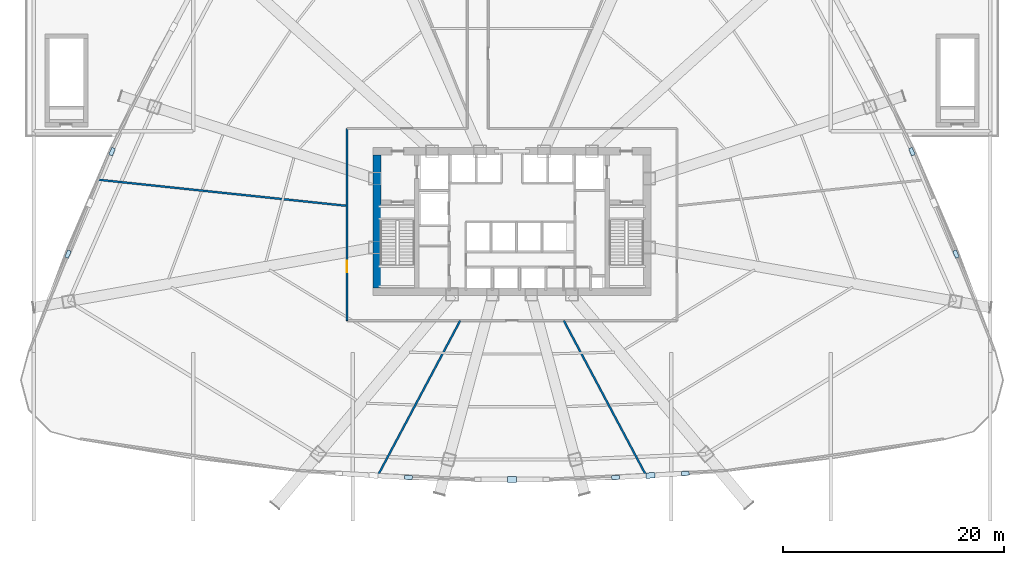
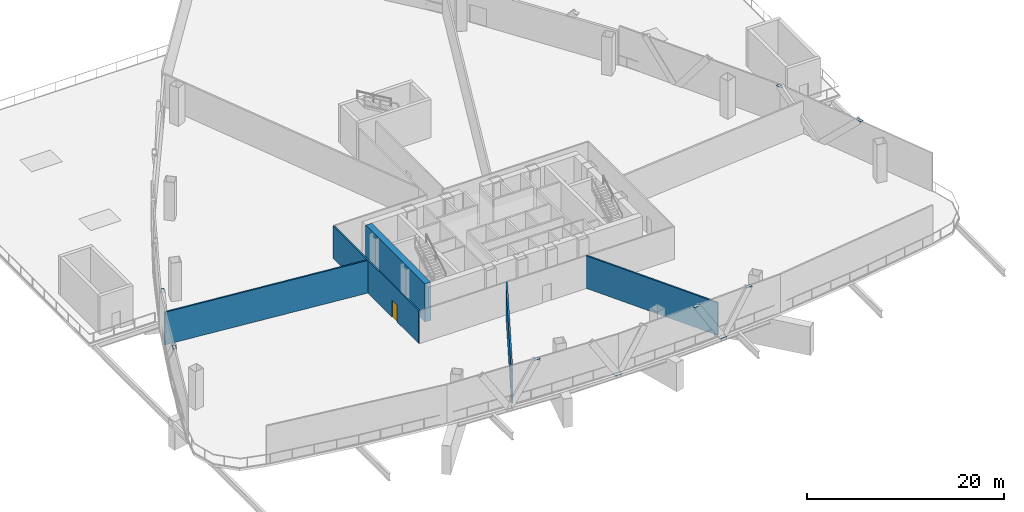
# One storey, part 9 of 18: 9 plates, 5 walls, 1 door, 1 opening.
"""IFC4 building model written with IfcOpenShell, lengths in metres."""

from ifc_helpers import new_model, si_unit, direction, frame, frame_2d, origin, origin_with_axes, origin_2d, place, context, subcontext, project, spatial, rectangle, extrude, source, transform, mapped, material, layer, layer_set, type_object, element, fill, save


model = new_model("IFC4")

# Units and contexts
model_context = context("Model", 3, precision=1e-05, world=origin(), true_north=direction((0.0, 1.0)))
body_context = subcontext(model_context, "Body", "Model", "MODEL_VIEW")
ifc_project = project(units=[si_unit("LENGTHUNIT", "METRE"), si_unit("AREAUNIT", "SQUARE_METRE"), si_unit("VOLUMEUNIT", "CUBIC_METRE"), si_unit("PLANEANGLEUNIT", "RADIAN"), si_unit("MASSUNIT", "GRAM", prefix="KILO"), si_unit("THERMODYNAMICTEMPERATUREUNIT", "KELVIN"), si_unit("POWERUNIT", "WATT")], contexts=[model_context])

# Site, building, storey
site_placement = place(None, origin())
site = spatial("IfcSite", under=ifc_project, at=site_placement, CompositionType="ELEMENT")
building_placement = place(site_placement, origin())
building = spatial("IfcBuilding", under=site, at=building_placement, Name="Yunzhuo Pagoda Commons", CompositionType="ELEMENT")
storey_placement = place(building_placement, frame((0.0, 0.0, 25.39990234375)))
storey = spatial("IfcBuildingStorey", under=building, at=storey_placement, Name="L06", CompositionType="ELEMENT", Elevation=25.39990234375)

# Plates
ifc_material_1 = material(Name="Structural steel Q355B", Category="steel")
ifc_layer_1 = layer(ifc_material_1, 0.028076171875)
ifc_layer_set_1 = layer_set([ifc_layer_1], Name="Structural steel Q355B")
plate_type = type_object("IfcPlateType", Name="SP-ND1 Lattice Node Cap Plate 800x500x28", PredefinedType="USERDEFINED", material=ifc_layer_set_1)
shared_shape_1 = source(origin(), body_context, "Body", "SweptSolid", [
    extrude(rectangle(XDim=0.800048828125, YDim=0.5, at=origin_2d()), origin(), (0.0, 0.0, 1.0), 0.028076171875),
])
for number, where, z_axis, x_axis, name in (
    (1, (48.0, 10.548095703125, -0.2939453125), (0.0, 0.0, 1.0), (1.0, 0.0, 0.0), "L06 diamond node plate F1.2A"),
    (2, (60.50830078125, 10.913818359375, -0.2939453125), (0.0, 0.0, 1.0), (0.998322672768, 0.057895086472, 0.0), "L06 diamond node plate F1.3A"),
):
    element("IfcPlate", number, at=place(storey_placement, frame(where, z_axis=z_axis, x_axis=x_axis)), inside=storey, type_object=plate_type, Name=name, ObjectType="STIFFENER_PLATE", PredefinedType="USERDEFINED", context=body_context, shape_type="MappedRepresentation", body=[
        mapped(shared_shape_1, transform((0.0, 0.0, 0.0), scale=1.0)),
    ])
shared_shape_2 = source(origin(), body_context, "Body", "SweptSolid", [
    extrude(rectangle(XDim=0.699951171875, YDim=0.35009765625, at=origin_2d()), origin(), (0.0, 0.0, 1.0), 0.035888671875),
])
for number, where, z_axis, x_axis, name in (
    (3, (38.64404296875, 10.73095703125, 4.7021484375), (0.0, 0.0, 1.0), (0.998322672768, -0.057895086472, 0.0), "L06 setback lattice tie plate F1.1R"),
    (4, (57.35595703125, 10.73095703125, 4.7021484375), (0.0, 0.0, 1.0), (0.998322672768, 0.057895086472, 0.0), "L06 setback lattice tie plate F1.3L"),
    (5, (63.66064453125, 11.0966796875, 4.7021484375), (0.0, 0.0, 1.0), (0.998322672768, 0.057895086472, 0.0), "L06 setback lattice tie plate F1.3R"),
    (6, (88.10888671875, 30.906005859375, 4.7021484375), (0.0, 0.0, 1.0), (-0.39485610496, 0.918742976232, 0.0), "L06 setback lattice tie plate F2.1L"),
    (7, (84.130126953125, 40.1640625, 4.7021484375), (0.0, 0.0, 1.0), (-0.39485610496, 0.918742976232, 0.0), "L06 setback lattice tie plate F2.1R"),
    (8, (11.869873046875, 40.1640625, 4.7021484375), (0.0, 0.0, 1.0), (-0.39485610496, -0.918742976232, 0.0), "L06 setback lattice tie plate F3.3L"),
    (9, (7.89111328125, 30.906005859375, 4.7021484375), (0.0, 0.0, 1.0), (-0.39485610496, -0.918742976232, 0.0), "L06 setback lattice tie plate F3.3R"),
):
    element("IfcPlate", number, at=place(storey_placement, frame(where, z_axis=z_axis, x_axis=x_axis)), inside=storey, type_object=plate_type, Name=name, ObjectType="STIFFENER_PLATE", PredefinedType="USERDEFINED", context=body_context, shape_type="MappedRepresentation", body=[
        mapped(shared_shape_2, transform((0.0, 0.0, 0.0), scale=1.0)),
    ])

# Wall
ifc_material_2 = material(Name="Concrete C60", Category="concrete")
ifc_layer_2 = layer(ifc_material_2, 0.699951171875)
ifc_layer_set_2 = layer_set([ifc_layer_2], Name="Concrete C60")
wall_type_1 = type_object("IfcWallType", Name="W-C01 Lower Core Shear Wall 700", PredefinedType="SHEAR", material=ifc_layer_set_2)
wall_1_placement = place(storey_placement, frame((35.800048828125, 27.85009765625, 0.0), z_axis=(0.0, 0.0, 1.0), x_axis=(0.0, 1.0, 0.0)))
element("IfcWall", 10, at=wall_1_placement, inside=storey, type_object=wall_type_1, Name="L06 core shear wall W", PredefinedType="SHEAR", context=body_context, shape_type="SweptSolid", body=[
    extrude(rectangle(XDim=12.0, YDim=0.699951171875, at=frame_2d((6.0, 0.0))), origin(), (0.0, 0.0, 1.0), 4.739990234375),
])

# Wall, opening, door
ifc_material_3 = material(Name="Gypsum plasterboard on acoustic stud")
ifc_layer_3 = layer(ifc_material_3, 0.159912109375)
ifc_layer_set_3 = layer_set([ifc_layer_3], Name="Gypsum plasterboard on acoustic stud")
wall_type_2 = type_object("IfcWallType", Name="W-COR1 Tower Rated Corridor Wall 160", PredefinedType="PARTITIONING", material=ifc_layer_set_3)
wall_2_placement = place(storey_placement, frame((33.10009765625, 24.89990234375, 0.0), z_axis=(0.0, 0.0, 1.0), x_axis=(0.0, 1.0, 0.0)))
wall_2 = element("IfcWall", 11, at=wall_2_placement, inside=storey, type_object=wall_type_2, Name="L06 interior wall IW-L06-SCW05", PredefinedType="PARTITIONING", context=body_context, shape_type="SweptSolid", body=[
    extrude(rectangle(XDim=17.35009765625, YDim=0.159912109375, at=frame_2d((8.675048828125, 0.0))), origin(), (0.0, 0.0, 1.0), 4.0400390625),
])
opening_placement = place(wall_2_placement, frame((4.358154296875, 0.0, 0.0)))
opening = element("IfcOpeningElement", 12, at=opening_placement, cuts=wall_2, Name="Opening D-02", PredefinedType="OPENING", context=body_context, shape_type="SweptSolid", body=[
    extrude(rectangle(XDim=1.050048828125, YDim=2.10009765625, at=frame_2d((0.52490234375, 1.050048828125))), frame((0.0, 0.08984375, 0.0), z_axis=(0.0, -1.0, 0.0), x_axis=(1.0, 0.0, 0.0)), (0.0, 0.0, 1.0), 0.179931640625),
])
ifc_material_4 = material(Name="Galvanized fire-resisting metal leaf")
door_type = type_object("IfcDoorType", Name="D-02 Firefighting Lobby & Refuge Fire Door 1050x2100", OperationType="NOTDEFINED", PredefinedType="DOOR", material=ifc_material_4)
shared_shape_3 = source(origin(), body_context, "Body", "SweptSolid", [
    extrude(rectangle(XDim=1.050048828125, YDim=2.10009765625, at=frame_2d((0.52490234375, 1.050048828125))), frame((0.0, 0.02490234375, 0.0), z_axis=(0.0, -1.0, 0.0), x_axis=(1.0, 0.0, 0.0)), (0.0, 0.0, 1.0), 0.050048828125),
])
door_placement = place(opening_placement, origin_with_axes())
door = element("IfcDoor", 13, at=door_placement, inside=storey, type_object=door_type, Name="L06 South Refuge Area door", OperationType="SINGLE_SWING_RIGHT", OverallHeight=2.10009765625, OverallWidth=1.050048828125, PredefinedType="DOOR", context=body_context, shape_type="MappedRepresentation", body=[
    mapped(shared_shape_3, transform((0.0, 0.0, 0.0), scale=1.0)),
])
fill(opening, door)

# Walls
ifc_layer_4 = layer(ifc_material_3, 0.179931640625)
ifc_layer_set_4 = layer_set([ifc_layer_4], Name="Gypsum plasterboard on acoustic stud")
wall_type_3 = type_object("IfcWallType", Name="W-PRT2 Acoustic Unit Demising Wall 180", PredefinedType="PARTITIONING", material=ifc_layer_set_4)
wall_3_placement = place(storey_placement, frame((33.10009765625, 35.26611328125, 0.0), z_axis=(0.0, 0.0, 1.0), x_axis=(-0.994522243654, 0.104525149493, 0.0)))
element("IfcWall", 14, at=wall_3_placement, inside=storey, type_object=wall_type_3, Name="L06 interior wall IW-L06-SRAD4", PredefinedType="PARTITIONING", context=body_context, shape_type="SweptSolid", body=[
    extrude(rectangle(XDim=22.609619140625, YDim=0.179931640625, at=frame_2d((11.3046875, 0.0))), origin(), (0.0, 0.0, 1.0), 4.0400390625),
])
for number, where, z_axis, x_axis, name in (
    (15, (43.321044921875, 24.89990234375, 0.0), (0.0, 0.0, 1.0), (-0.469478899312, -0.88294369192, 0.0), "L06 interior wall IW-L06-SRAD5"),
    (16, (52.678955078125, 24.89990234375, 0.0), (0.0, 0.0, 1.0), (0.469478899312, -0.88294369192, 0.0), "L06 interior wall IW-L06-SRAD6"),
):
    element("IfcWall", number, at=place(storey_placement, frame(where, z_axis=z_axis, x_axis=x_axis)), inside=storey, type_object=wall_type_3, Name=name, PredefinedType="PARTITIONING", context=body_context, shape_type="SweptSolid", body=[
        extrude(rectangle(XDim=15.734375, YDim=0.179931640625, at=frame_2d((7.8671875, 0.0))), origin(), (0.0, 0.0, 1.0), 4.0400390625),
    ])

save(model, "model.ifc")
